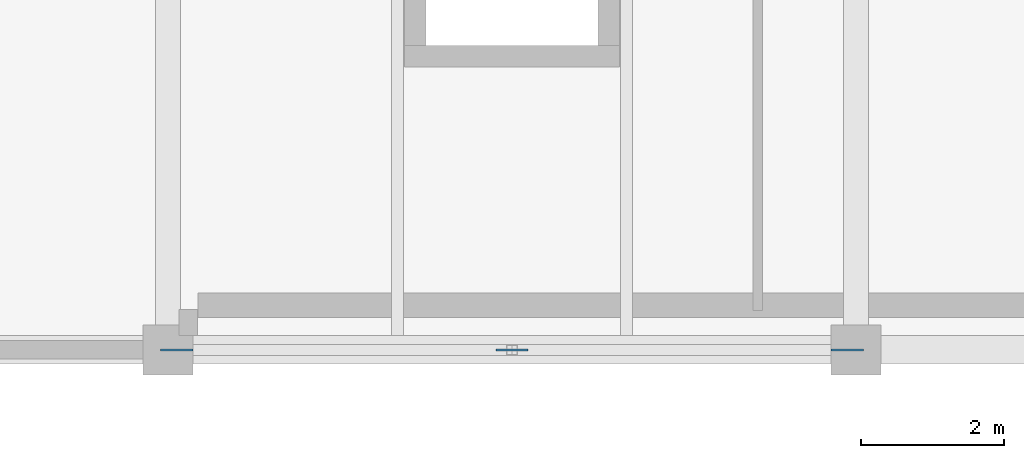
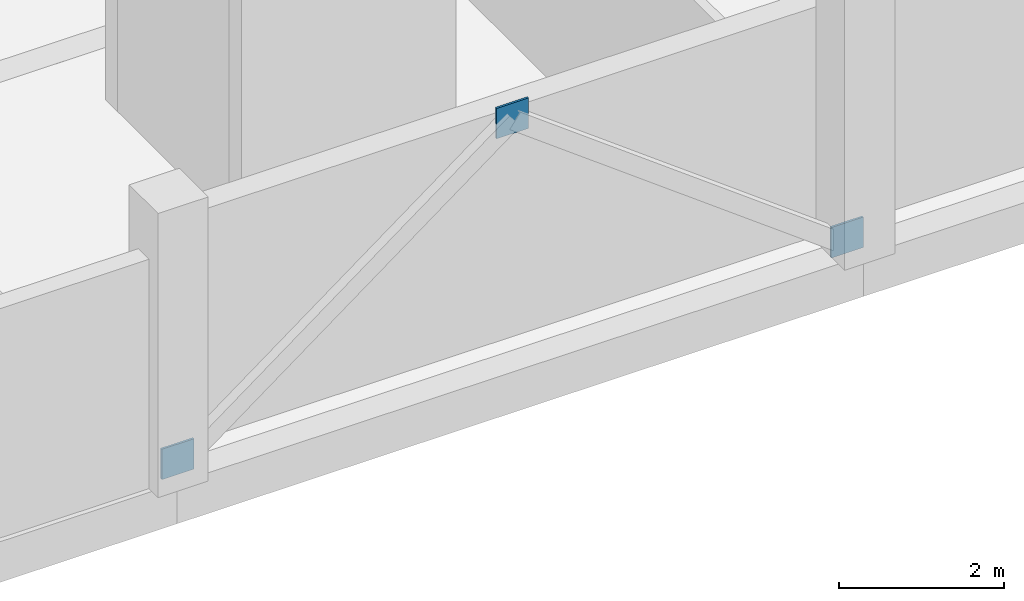
# One storey, part 33 of 57: 3 plates.
"""IFC4 building model written with IfcOpenShell, lengths in metres."""

from ifc_helpers import new_model, si_unit, direction, frame, origin, origin_2d, place, context, subcontext, project, spatial, rectangle, extrude, material, layer, layer_set, type_object, element, save


model = new_model("IFC4")

# Units and contexts
model_context = context("Model", 3, precision=1e-05, world=origin(), true_north=direction((0.0, 1.0)))
body_context = subcontext(model_context, "Body", "Model", "MODEL_VIEW")
ifc_project = project(units=[si_unit("LENGTHUNIT", "METRE"), si_unit("AREAUNIT", "SQUARE_METRE"), si_unit("VOLUMEUNIT", "CUBIC_METRE"), si_unit("PLANEANGLEUNIT", "RADIAN"), si_unit("MASSUNIT", "GRAM", prefix="KILO")], contexts=[model_context])

# Site, building, storey
site_placement = place(None, origin())
site = spatial("IfcSite", under=ifc_project, at=site_placement, CompositionType="ELEMENT")
building_placement = place(site_placement, origin())
building = spatial("IfcBuilding", under=site, at=building_placement, Name="Oolite Switchyard Hospital", CompositionType="ELEMENT")
storey_placement = place(building_placement, frame((0.0, 0.0, 17.800048828125)))
storey = spatial("IfcBuildingStorey", under=building, at=storey_placement, Name="L04", CompositionType="ELEMENT", Elevation=17.800048828125)

# Plates
ifc_material = material(Name="Steel ASTM A572 Grade 50", Category="steel")
ifc_layer = layer(ifc_material, 0.030029296875)
ifc_layer_set = layer_set([ifc_layer], Name="PLT-GUS-450")
plate_type = type_object("IfcPlateType", Name="PLT-GUS-450", PredefinedType="SHEET", material=ifc_layer_set)
for number, where, z_axis, x_axis, name in (
    (1, (153.719970703125, 8.39990234375, -0.02490234375), (0.0, 0.0, 1.0), (1.0, 0.0, 0.0), "L04 Brace Base Gusset Plate 103"),
    (2, (163.080078125, 8.39990234375, -0.02490234375), (0.0, 0.0, 1.0), (1.0, 0.0, 0.0), "L04 Brace Base Gusset Plate 104"),
    (3, (158.39990234375, 8.39990234375, 3.375), (0.0, 0.0, 1.0), (1.0, 0.0, 0.0), "L04 Gusset Connection Plate 105"),
):
    element("IfcPlate", number, at=place(storey_placement, frame(where, z_axis=z_axis, x_axis=x_axis)), inside=storey, type_object=plate_type, Name=name, PredefinedType="SHEET", context=body_context, shape_type="SweptSolid", body=[
        extrude(rectangle(XDim=0.449951171875, YDim=0.030029296875, at=origin_2d()), origin(), (0.0, 0.0, 1.0), 0.449951171875),
    ])

save(model, "model.ifc")
